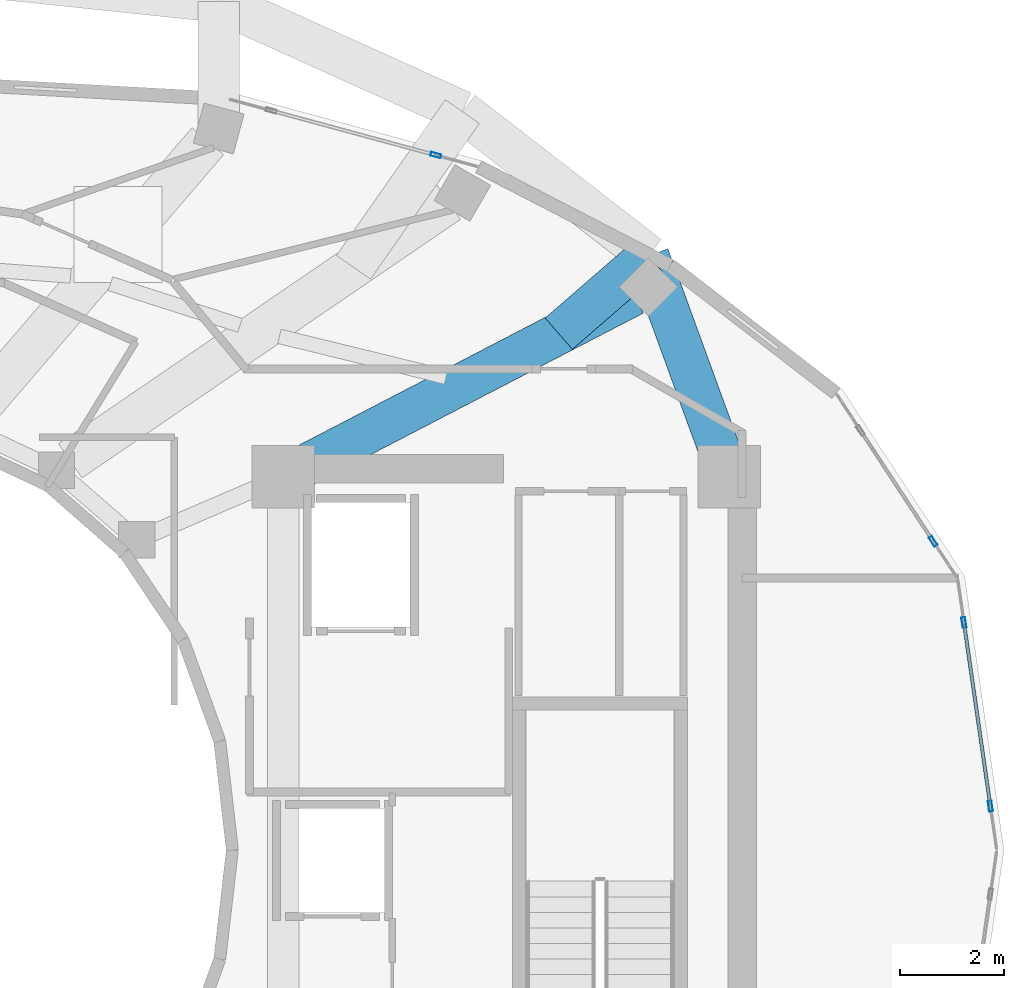
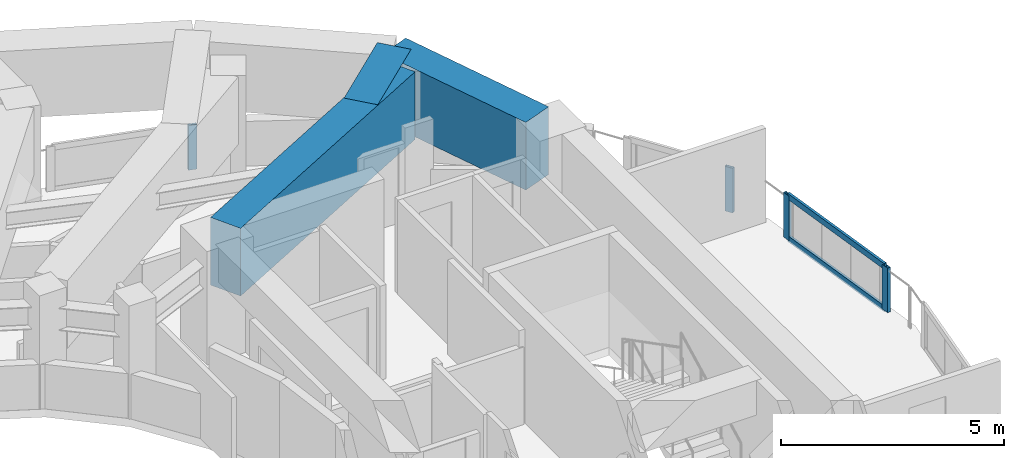
# One storey, part 9 of 20: 6 members, 3 beams, 3 elements without a shape of their own.
"""IFC4 building model written with IfcOpenShell, lengths in metres."""

import ifcopenshell
import ifcopenshell.guid

model = None  # the IFC model being written
_history = None  # IfcOwnerHistory: only IFC2X3 demands one
_inside = {}  # id of a spatial element -> (the spatial element, [elements in it])
_under = {}  # id of a project, library or spatial element -> (it, [spatial elements below it])
_declared = {}  # id of a project -> (the project, [libraries it declares])
_typed = {}  # id of a type object -> (the type object, [elements of that type])
_made_of = {}  # id of a material, layer set ... -> (it, [elements and type objects made of it])


def new_model(schema):
    """Start an empty IFC model of exactly this schema.

    Asked for "IFC4X3", IfcOpenShell would pick the latest addendum, in which some entities
    have other attributes; the version numbers below select the first issue.
    IFC2X3 requires an IfcOwnerHistory on every rooted entity: one is made here for all.
    """
    global model, _history
    if schema == "IFC4X3":
        model = ifcopenshell.file(schema_version=(4, 3, 0, 0))
    else:
        model = ifcopenshell.file(schema=schema)
    _inside.clear()
    _under.clear()
    _declared.clear()
    _typed.clear()
    _made_of.clear()
    _history = None
    if model.schema == "IFC2X3":
        org = make("IfcOrganization", Name="unknown")
        user = make(
            "IfcPersonAndOrganization",
            ThePerson=make("IfcPerson", FamilyName="unknown"),
            TheOrganization=org,
        )
        app = make(
            "IfcApplication",
            ApplicationDeveloper=org,
            Version="unknown",
            ApplicationFullName="unknown",
            ApplicationIdentifier="unknown",
        )
        _history = make(
            "IfcOwnerHistory",
            OwningUser=user,
            OwningApplication=app,
            ChangeAction="ADDED",
            CreationDate=0,
        )
    return model


def make(cls, **values):
    """One entity of the class cls with the attributes given. An attribute that is None is left unset."""
    return model.create_entity(
        cls, **{name: value for name, value in values.items() if value is not None}
    )


def rooted(cls, **values):
    """An entity with a GlobalId (a new one), such as an element, a storey or a relation."""
    return make(cls, GlobalId=ifcopenshell.guid.new(), OwnerHistory=_history, **values)


def si_unit(unit_type, name, prefix=None):
    """IfcSIUnit, for example si_unit("LENGTHUNIT", "METRE", prefix="MILLI")."""
    return make("IfcSIUnit", UnitType=unit_type, Prefix=prefix, Name=name)


def assignment(units):
    """IfcUnitAssignment: the units of a project."""
    return None if units is None else make("IfcUnitAssignment", Units=units)


def point(xyz):
    """IfcCartesianPoint."""
    return None if xyz is None else make("IfcCartesianPoint", Coordinates=xyz)


def direction(xyz):
    """IfcDirection."""
    return None if xyz is None else make("IfcDirection", DirectionRatios=xyz)


def frame(location, z_axis=None, x_axis=None):
    """IfcAxis2Placement3D, a coordinate frame: its origin and axes. An axis left out is left unset."""
    return make(
        "IfcAxis2Placement3D",
        Location=point(location),
        Axis=direction(z_axis),
        RefDirection=direction(x_axis),
    )


def frame_2d(location, x_axis=None):
    """IfcAxis2Placement2D, a coordinate frame in the plane: its origin and x axis."""
    return make(
        "IfcAxis2Placement2D", Location=point(location), RefDirection=direction(x_axis)
    )


def origin():
    """The frame at (0, 0, 0) with its axes left unset."""
    return frame((0.0, 0.0, 0.0))


def origin_2d():
    """The frame at (0, 0) in the plane with its x axis left unset."""
    return frame_2d((0.0, 0.0))


def place(relative_to, where):
    """IfcLocalPlacement: puts the frame where relative to a parent placement (None: the world)."""
    return make(
        "IfcLocalPlacement", PlacementRelTo=relative_to, RelativePlacement=where
    )


def context(
    kind, dimensions, precision=None, world=None, true_north=None, identifier=None
):
    """IfcGeometricRepresentationContext, for example the 3D "Model" context."""
    return make(
        "IfcGeometricRepresentationContext",
        ContextIdentifier=identifier,
        ContextType=kind,
        CoordinateSpaceDimension=dimensions,
        Precision=precision,
        WorldCoordinateSystem=world,
        TrueNorth=true_north,
    )


def subcontext(parent, identifier, kind, view, scale=None):
    """IfcGeometricRepresentationSubContext, for example "Body" below "Model"."""
    return make(
        "IfcGeometricRepresentationSubContext",
        ContextIdentifier=identifier,
        ContextType=kind,
        ParentContext=parent,
        TargetScale=scale,
        TargetView=view,
    )


def project(units=None, contexts=None):
    """IfcProject with its units and contexts."""
    return rooted(
        "IfcProject",
        Name="project",
        RepresentationContexts=contexts,
        UnitsInContext=assignment(units),
    )


def spatial(cls, under=None, at=None, **own):
    """A site, building, storey or space (cls), placed at a placement, below another one or the project."""
    s = rooted(cls, ObjectPlacement=at, **own)
    if under is not None:
        _under.setdefault(under.id(), (under, []))[1].append(s)
    return s


def profile(cls, at=None, kind="AREA", **sizes):
    """A parametric profile (cls). Its sizes go by their IFC names, for example OverallWidth=200.0."""
    return make(cls, ProfileType=kind, Position=at, **sizes)


def rectangle(**sizes):
    """IfcRectangleProfileDef."""
    return profile("IfcRectangleProfileDef", **sizes)


def hollow_rectangle(**sizes):
    """IfcRectangleHollowProfileDef."""
    return profile("IfcRectangleHollowProfileDef", **sizes)


def extrude(swept, where, along, depth):
    """IfcExtrudedAreaSolid: the profile swept, set in the frame where, extruded along a direction by depth."""
    return make(
        "IfcExtrudedAreaSolid",
        SweptArea=swept,
        Position=where,
        ExtrudedDirection=direction(along),
        Depth=depth,
    )


def shape(context_of_items, identifier, shape_type, items):
    """IfcShapeRepresentation: the items that make up one representation, for example the "Body"."""
    return make(
        "IfcShapeRepresentation",
        ContextOfItems=context_of_items,
        RepresentationIdentifier=identifier,
        RepresentationType=shape_type,
        Items=items,
    )


def material(Name=None, Category=None):
    """IfcMaterial."""
    return make("IfcMaterial", Name=Name, Category=Category)


def layer(
    of_material, thickness, ventilated=None, Name=None, Category=None, Priority=None
):
    """IfcMaterialLayer: one layer of a wall or slab, of a material (None: an air gap)."""
    return make(
        "IfcMaterialLayer",
        Material=of_material,
        LayerThickness=thickness,
        IsVentilated=ventilated,
        Name=Name,
        Category=Category,
        Priority=Priority,
    )


def layer_set(layers, Name=None):
    """IfcMaterialLayerSet."""
    return make("IfcMaterialLayerSet", MaterialLayers=layers, LayerSetName=Name)


def material_profile(
    of_material, cross_section, Name=None, Category=None, Priority=None
):
    """IfcMaterialProfile: a cross section and its material."""
    return make(
        "IfcMaterialProfile",
        Name=Name,
        Material=of_material,
        Profile=cross_section,
        Priority=Priority,
        Category=Category,
    )


def profile_set(profiles, Name=None, composite=None):
    """IfcMaterialProfileSet."""
    return make(
        "IfcMaterialProfileSet",
        Name=Name,
        MaterialProfiles=profiles,
        CompositeProfile=composite,
    )


def made_of(thing, what):
    """Note that an element or type object is made of a material, layer set ...; save() writes the relation."""
    if what is not None:
        _made_of.setdefault(what.id(), (what, []))[1].append(thing)
    return thing


def type_object(cls, material=None, **own):
    """A type object (cls), such as IfcWallType, which elements share."""
    return made_of(rooted(cls, **own), material)


def element(
    cls,
    number,
    at=None,
    inside=None,
    cuts=None,
    type_object=None,
    material=None,
    context=None,
    identifier="Body",
    shape_type=None,
    held_by="IfcProductDefinitionShape",
    body=None,
    shapes=None,
    **own,
):
    """One element of the class cls, such as IfcWall. Its Tag is "e" and its number.

    at: its placement. inside: the storey or other place that contains it. cuts: it is an
    opening in that element (IfcRelVoidsElement). A single representation is given by context,
    identifier, shape_type and body (its items); several are given by shapes. held_by: the class
    of the entity that holds the representations. save() writes the other relations.
    """
    e = rooted(cls, Tag="e%d" % number, ObjectPlacement=at, **own)
    if body is not None:
        shapes = [shape(context, identifier, shape_type, body)]
    if shapes is not None:
        e.Representation = make(held_by, Representations=shapes)
    if inside is not None:
        _inside.setdefault(inside.id(), (inside, []))[1].append(e)
    if cuts is not None:
        rooted(
            "IfcRelVoidsElement", RelatingBuildingElement=cuts, RelatedOpeningElement=e
        )
    if type_object is not None:
        _typed.setdefault(type_object.id(), (type_object, []))[1].append(e)
    return made_of(e, material)


def aggregate(whole, parts):
    """IfcRelAggregates: a whole, such as a stair, and the parts it consists of."""
    return rooted("IfcRelAggregates", RelatingObject=whole, RelatedObjects=parts)


def save(model, path):
    """Write the relations noted so far, then the file.

    IfcRelAggregates (storeys below a building ...), IfcRelContainedInSpatialStructure (elements
    in a storey), IfcRelDefinesByType, IfcRelAssociatesMaterial and IfcRelDeclares: one each for
    every whole, place, type object, material and project.
    """
    for whole, parts in _under.values():
        aggregate(whole, parts)
    for where, things in _inside.values():
        rooted(
            "IfcRelContainedInSpatialStructure",
            RelatedElements=things,
            RelatingStructure=where,
        )
    for kind, things in _typed.values():
        rooted("IfcRelDefinesByType", RelatedObjects=things, RelatingType=kind)
    for what, things in _made_of.values():
        rooted("IfcRelAssociatesMaterial", RelatedObjects=things, RelatingMaterial=what)
    for by, libraries in _declared.values():
        rooted("IfcRelDeclares", RelatingContext=by, RelatedDefinitions=libraries)
    model.write(path)


model = new_model("IFC4")

# Units and contexts
model_context = context("Model", 3, precision=1e-05, world=origin(), true_north=direction((0.0, 1.0)))
body_context = subcontext(model_context, "Body", "Model", "MODEL_VIEW")
ifc_project = project(units=[si_unit("LENGTHUNIT", "METRE"), si_unit("AREAUNIT", "SQUARE_METRE"), si_unit("VOLUMEUNIT", "CUBIC_METRE"), si_unit("PLANEANGLEUNIT", "RADIAN"), si_unit("MASSUNIT", "GRAM", prefix="KILO")], contexts=[model_context])

# Site, building, storey
site_placement = place(None, origin())
site = spatial("IfcSite", under=ifc_project, at=site_placement, CompositionType="ELEMENT")
building_placement = place(site_placement, origin())
building = spatial("IfcBuilding", under=site, at=building_placement, Name="Solvane Sanctuary Tower", CompositionType="ELEMENT")
storey_placement = place(building_placement, frame((0.0, 0.0, 217.10009765625)))
storey = spatial("IfcBuildingStorey", under=building, at=storey_placement, Name="L66", CompositionType="ELEMENT", Elevation=217.10009765625)

# Beams
ifc_material_1 = material(Name="Concrete C70/85", Category="concrete")
ifc_material_profile_1 = material_profile(ifc_material_1, rectangle(XDim=0.800048828125, YDim=1.85009765625, at=origin_2d()), Name="RC800X1850")
ifc_profile_set_1 = profile_set([ifc_material_profile_1], Name="Concrete C70/85")
beam_type = type_object("IfcBeamType", Name="Beam B-XFER-BLK RC800X1850", PredefinedType="BEAM", material=ifc_profile_set_1)
beam_1_placement = place(storey_placement, frame((40.41943359375, 30.365966796875, 2.1748046875), z_axis=(0.887542636371, 0.460725589287, 0.0), x_axis=(-0.460725589287, 0.887542636371, 0.0)))
element("IfcBeam", 1, at=beam_1_placement, inside=storey, type_object=beam_type, Name="L66 Block-Shift Radial Transfer Girder 01A", PredefinedType="BEAM", context=body_context, shape_type="SweptSolid", body=[
    extrude(rectangle(XDim=0.800048828125, YDim=1.85009765625, at=origin_2d()), origin(), (0.0, 0.0, 1.0), 7.257568359375),
])
beam_2_placement = place(storey_placement, frame((45.414306640625, 32.95849609375, 2.1748046875), z_axis=(0.754992879134, 0.655732988691, 0.0), x_axis=(-0.655732988691, 0.754992879134, 0.0)))
element("IfcBeam", 2, at=beam_2_placement, inside=storey, type_object=beam_type, Name="L66 Block-Shift Transfer Tie 01B", PredefinedType="BEAM", context=body_context, shape_type="SweptSolid", body=[
    extrude(rectangle(XDim=0.800048828125, YDim=1.85009765625, at=origin_2d()), origin(), (0.0, 0.0, 1.0), 2.292236328125),
])
beam_3_placement = place(storey_placement, frame((47.14501953125, 34.461669921875, 2.1748046875), z_axis=(0.342775405393, -0.939417384051, 0.0), x_axis=(0.939417384051, 0.342775405393, 0.0)))
element("IfcBeam", 3, at=beam_3_placement, inside=storey, type_object=beam_type, Name="L66 Perimeter Step Transfer Ring NTC01-CE3", PredefinedType="BEAM", context=body_context, shape_type="SweptSolid", body=[
    extrude(rectangle(XDim=0.800048828125, YDim=1.85009765625, at=origin_2d()), origin(), (0.0, 0.0, 1.0), 4.176513671875),
])

# Curtain wall, members
ifc_material_2 = material(Name="Anodised Aluminium 6063-T6", Category="aluminium")
ifc_layer_1 = layer(ifc_material_2, 0.2099609375, Name="Anodised Aluminium 6063-T6")
ifc_layer_set_1 = layer_set([ifc_layer_1], Name="Anodised Aluminium 6063-T6")
curtain_wall_type_1 = type_object("IfcCurtainWallType", Name="Curtain Wall CW-PORTAL", PredefinedType="NOTDEFINED", material=ifc_layer_set_1)
curtain_wall_1_placement = place(storey_placement, origin())
curtain_wall_1 = element("IfcCurtainWall", 4, at=curtain_wall_1_placement, inside=storey, type_object=curtain_wall_type_1, Name="L66 CW-PORTAL Facade Run 00", PredefinedType="NOTDEFINED")
ifc_material_profile_2 = material_profile(ifc_material_2, hollow_rectangle(XDim=0.074951171875, YDim=0.199951171875, WallThickness=0.00390625, at=origin_2d()), Name="ALU200X75X4")
ifc_profile_set_2 = profile_set([ifc_material_profile_2], Name="Anodised Aluminium 6063-T6")
member_type_1 = type_object("IfcMemberType", Name="Member M-CW-MUL-1 ALU200X75X4", PredefinedType="MULLION", material=ifc_profile_set_2)
member_1_placement = place(storey_placement, frame((53.737548828125, 23.8486328125, 0.0), z_axis=(0.0, 0.0, 1.0), x_axis=(-0.989765249591, -0.142705117998, 0.0)))
member_1 = element("IfcMember", 5, at=member_1_placement, type_object=member_type_1, Name="CW-PORTAL mullion 1", PredefinedType="MULLION", context=body_context, shape_type="SweptSolid", body=[
    extrude(hollow_rectangle(XDim=0.074951171875, YDim=0.199951171875, WallThickness=0.00390625, at=origin_2d()), origin(), (0.0, 0.0, 1.0), 1.219970703125),
])
member_2_placement = place(storey_placement, frame((53.22705078125, 27.39013671875, 0.0), z_axis=(0.0, 0.0, 1.0), x_axis=(-0.989765249591, -0.142705117998, 0.0)))
member_2 = element("IfcMember", 6, at=member_2_placement, type_object=member_type_1, Name="CW-PORTAL mullion 2", PredefinedType="MULLION", context=body_context, shape_type="SweptSolid", body=[
    extrude(hollow_rectangle(XDim=0.074951171875, YDim=0.199951171875, WallThickness=0.00390625, at=origin_2d()), origin(), (0.0, 0.0, 1.0), 1.219970703125),
])

# Curtain wall, member
curtain_wall_2_placement = place(storey_placement, origin())
curtain_wall_2 = element("IfcCurtainWall", 7, at=curtain_wall_2_placement, inside=storey, type_object=curtain_wall_type_1, Name="L66 CW-PORTAL Facade Run 01", PredefinedType="NOTDEFINED")
member_3_placement = place(storey_placement, frame((52.634033203125, 28.95556640625, 0.0), z_axis=(0.0, 0.0, 1.0), x_axis=(-0.83595908826, -0.548791766298, 0.0)))
member_3 = element("IfcMember", 8, at=member_3_placement, type_object=member_type_1, Name="CW-PORTAL mullion 1", PredefinedType="MULLION", context=body_context, shape_type="SweptSolid", body=[
    extrude(hollow_rectangle(XDim=0.074951171875, YDim=0.199951171875, WallThickness=0.00390625, at=origin_2d()), origin(), (0.0, 0.0, 1.0), 1.219970703125),
])
aggregate(curtain_wall_2, [member_3])

ifc_layer_2 = layer(ifc_material_2, 0.18994140625, Name="Anodised Aluminium 6063-T6")
ifc_layer_set_2 = layer_set([ifc_layer_2], Name="Anodised Aluminium 6063-T6")
curtain_wall_type_2 = type_object("IfcCurtainWallType", Name="Curtain Wall CW-OPER", PredefinedType="NOTDEFINED", material=ifc_layer_set_2)
curtain_wall_3_placement = place(storey_placement, origin())
curtain_wall_3 = element("IfcCurtainWall", 9, at=curtain_wall_3_placement, inside=storey, type_object=curtain_wall_type_2, Name="L66 CW-OPER Facade Run 04", PredefinedType="NOTDEFINED")
member_4_placement = place(storey_placement, frame((43.04248046875, 36.4013671875, 0.0), z_axis=(0.0, 0.0, 1.0), x_axis=(-0.261468027073, -0.965212137728, 0.0)))
member_4 = element("IfcMember", 10, at=member_4_placement, type_object=member_type_1, Name="CW-OPER mullion 1", PredefinedType="MULLION", context=body_context, shape_type="SweptSolid", body=[
    extrude(hollow_rectangle(XDim=0.074951171875, YDim=0.199951171875, WallThickness=0.00390625, at=origin_2d()), origin(), (0.0, 0.0, 1.0), 1.219970703125),
])
aggregate(curtain_wall_3, [member_4])

# Member
ifc_material_profile_3 = material_profile(ifc_material_2, hollow_rectangle(XDim=0.06494140625, YDim=0.159912109375, WallThickness=0.00341796875, at=origin_2d()), Name="ALU160X65X3.5")
ifc_profile_set_3 = profile_set([ifc_material_profile_3], Name="Anodised Aluminium 6063-T6")
member_type_2 = type_object("IfcMemberType", Name="Member M-CW-TRN-1 ALU160X65X3.5", PredefinedType="USERDEFINED", material=ifc_profile_set_3)
member_5_placement = place(storey_placement, frame((53.732177734375, 23.8857421875, 0.032470703125), z_axis=(-0.142660376615, 0.989771699406, 0.0), x_axis=(-0.989771699406, -0.142660376615, 0.0)))
member_5 = element("IfcMember", 11, at=member_5_placement, type_object=member_type_2, Name="CW-PORTAL transom 1.1", ObjectType="TRANSOM", PredefinedType="USERDEFINED", context=body_context, shape_type="SweptSolid", body=[
    extrude(hollow_rectangle(XDim=0.06494140625, YDim=0.159912109375, WallThickness=0.00341796875, at=origin_2d()), origin(), (0.0, 0.0, 1.0), 3.503173828125),
])

member_6_placement = place(storey_placement, frame((53.732177734375, 23.8857421875, 1.1875), z_axis=(-0.142660376615, 0.989771699406, 0.0), x_axis=(-0.989771699406, -0.142660376615, 0.0)))
member_6 = element("IfcMember", 12, at=member_6_placement, type_object=member_type_2, Name="CW-PORTAL transom 1.2", ObjectType="TRANSOM", PredefinedType="USERDEFINED", context=body_context, shape_type="SweptSolid", body=[
    extrude(hollow_rectangle(XDim=0.06494140625, YDim=0.159912109375, WallThickness=0.00341796875, at=origin_2d()), origin(), (0.0, 0.0, 1.0), 3.503173828125),
])

aggregate(curtain_wall_1, [member_1, member_2, member_5, member_6])

save(model, "model.ifc")
